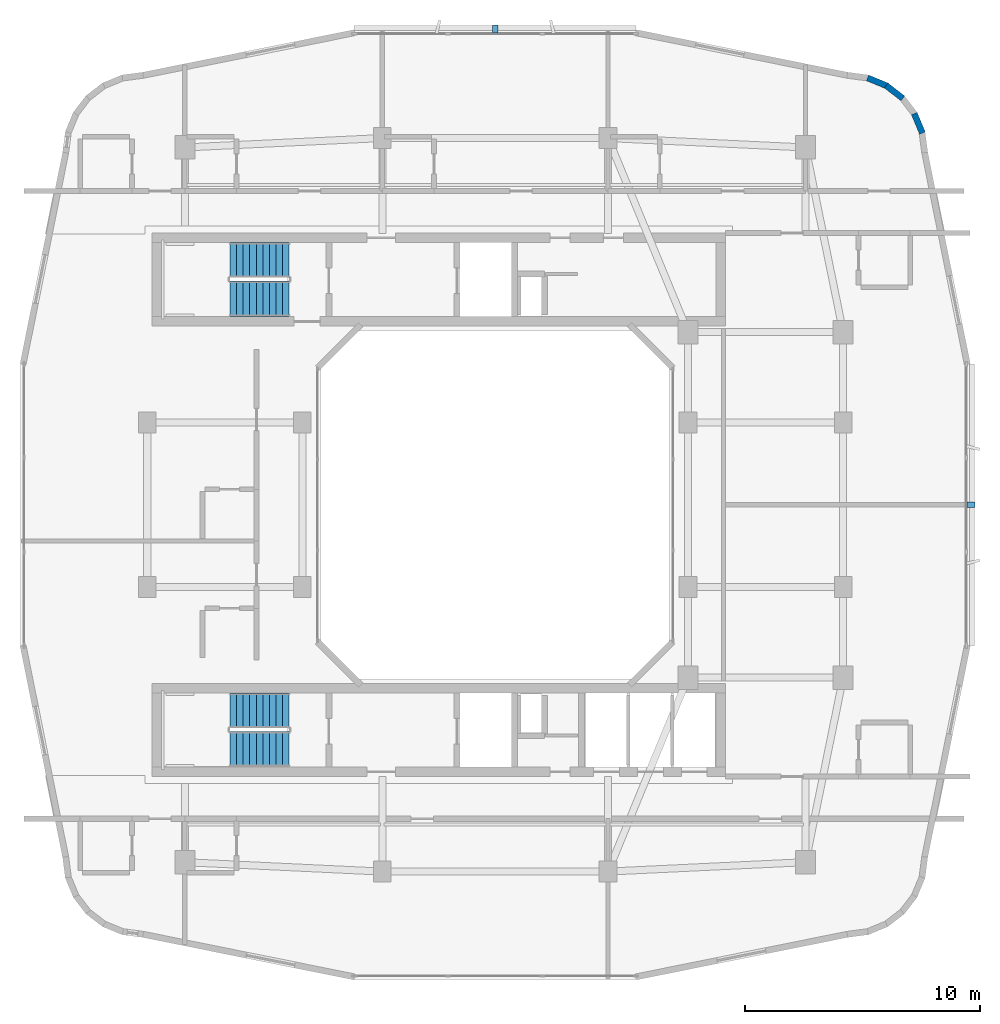
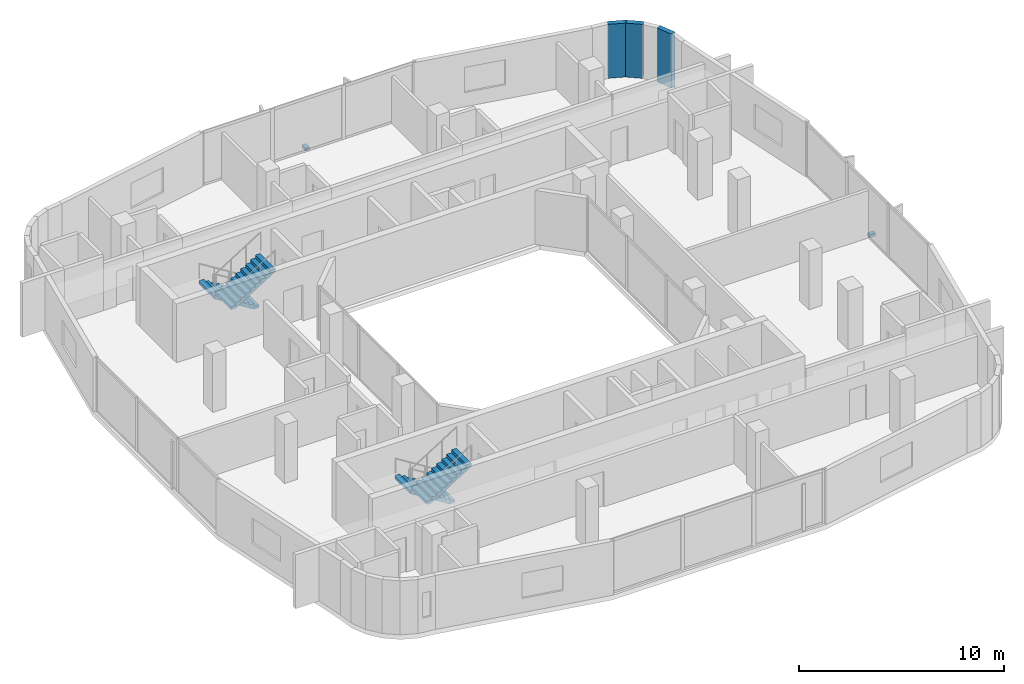
# One storey, part 10 of 14: 4 stair flights, 3 walls, 2 discrete accessories, 2 elements without a shape of their own.
"""IFC4 building model written with IfcOpenShell, lengths in metres."""

import ifcopenshell
import ifcopenshell.guid

model = None  # the IFC model being written
_history = None  # IfcOwnerHistory: only IFC2X3 demands one
_inside = {}  # id of a spatial element -> (the spatial element, [elements in it])
_under = {}  # id of a project, library or spatial element -> (it, [spatial elements below it])
_declared = {}  # id of a project -> (the project, [libraries it declares])
_typed = {}  # id of a type object -> (the type object, [elements of that type])
_made_of = {}  # id of a material, layer set ... -> (it, [elements and type objects made of it])


def new_model(schema):
    """Start an empty IFC model of exactly this schema.

    Asked for "IFC4X3", IfcOpenShell would pick the latest addendum, in which some entities
    have other attributes; the version numbers below select the first issue.
    IFC2X3 requires an IfcOwnerHistory on every rooted entity: one is made here for all.
    """
    global model, _history
    if schema == "IFC4X3":
        model = ifcopenshell.file(schema_version=(4, 3, 0, 0))
    else:
        model = ifcopenshell.file(schema=schema)
    _inside.clear()
    _under.clear()
    _declared.clear()
    _typed.clear()
    _made_of.clear()
    _history = None
    if model.schema == "IFC2X3":
        org = make("IfcOrganization", Name="unknown")
        user = make(
            "IfcPersonAndOrganization",
            ThePerson=make("IfcPerson", FamilyName="unknown"),
            TheOrganization=org,
        )
        app = make(
            "IfcApplication",
            ApplicationDeveloper=org,
            Version="unknown",
            ApplicationFullName="unknown",
            ApplicationIdentifier="unknown",
        )
        _history = make(
            "IfcOwnerHistory",
            OwningUser=user,
            OwningApplication=app,
            ChangeAction="ADDED",
            CreationDate=0,
        )
    return model


def make(cls, **values):
    """One entity of the class cls with the attributes given. An attribute that is None is left unset."""
    return model.create_entity(
        cls, **{name: value for name, value in values.items() if value is not None}
    )


def rooted(cls, **values):
    """An entity with a GlobalId (a new one), such as an element, a storey or a relation."""
    return make(cls, GlobalId=ifcopenshell.guid.new(), OwnerHistory=_history, **values)


def si_unit(unit_type, name, prefix=None):
    """IfcSIUnit, for example si_unit("LENGTHUNIT", "METRE", prefix="MILLI")."""
    return make("IfcSIUnit", UnitType=unit_type, Prefix=prefix, Name=name)


def derived_unit(unit_type, elements):
    """IfcDerivedUnit: a product of units, each with its exponent."""
    return make(
        "IfcDerivedUnit",
        Elements=[
            make("IfcDerivedUnitElement", Unit=unit, Exponent=power)
            for unit, power in elements
        ],
        UnitType=unit_type,
    )


def assignment(units):
    """IfcUnitAssignment: the units of a project."""
    return None if units is None else make("IfcUnitAssignment", Units=units)


def point(xyz):
    """IfcCartesianPoint."""
    return None if xyz is None else make("IfcCartesianPoint", Coordinates=xyz)


def direction(xyz):
    """IfcDirection."""
    return None if xyz is None else make("IfcDirection", DirectionRatios=xyz)


def frame(location, z_axis=None, x_axis=None):
    """IfcAxis2Placement3D, a coordinate frame: its origin and axes. An axis left out is left unset."""
    return make(
        "IfcAxis2Placement3D",
        Location=point(location),
        Axis=direction(z_axis),
        RefDirection=direction(x_axis),
    )


def frame_2d(location, x_axis=None):
    """IfcAxis2Placement2D, a coordinate frame in the plane: its origin and x axis."""
    return make(
        "IfcAxis2Placement2D", Location=point(location), RefDirection=direction(x_axis)
    )


def origin():
    """The frame at (0, 0, 0) with its axes left unset."""
    return frame((0.0, 0.0, 0.0))


def origin_2d():
    """The frame at (0, 0) in the plane with its x axis left unset."""
    return frame_2d((0.0, 0.0))


def place(relative_to, where):
    """IfcLocalPlacement: puts the frame where relative to a parent placement (None: the world)."""
    return make(
        "IfcLocalPlacement", PlacementRelTo=relative_to, RelativePlacement=where
    )


def context(
    kind, dimensions, precision=None, world=None, true_north=None, identifier=None
):
    """IfcGeometricRepresentationContext, for example the 3D "Model" context."""
    return make(
        "IfcGeometricRepresentationContext",
        ContextIdentifier=identifier,
        ContextType=kind,
        CoordinateSpaceDimension=dimensions,
        Precision=precision,
        WorldCoordinateSystem=world,
        TrueNorth=true_north,
    )


def subcontext(parent, identifier, kind, view, scale=None):
    """IfcGeometricRepresentationSubContext, for example "Body" below "Model"."""
    return make(
        "IfcGeometricRepresentationSubContext",
        ContextIdentifier=identifier,
        ContextType=kind,
        ParentContext=parent,
        TargetScale=scale,
        TargetView=view,
    )


def project(units=None, contexts=None):
    """IfcProject with its units and contexts."""
    return rooted(
        "IfcProject",
        Name="project",
        RepresentationContexts=contexts,
        UnitsInContext=assignment(units),
    )


def spatial(cls, under=None, at=None, **own):
    """A site, building, storey or space (cls), placed at a placement, below another one or the project."""
    s = rooted(cls, ObjectPlacement=at, **own)
    if under is not None:
        _under.setdefault(under.id(), (under, []))[1].append(s)
    return s


def polyline(points):
    """IfcPolyline through the points."""
    return make("IfcPolyline", Points=[point(p) for p in points])


def profile(cls, at=None, kind="AREA", **sizes):
    """A parametric profile (cls). Its sizes go by their IFC names, for example OverallWidth=200.0."""
    return make(cls, ProfileType=kind, Position=at, **sizes)


def rectangle(**sizes):
    """IfcRectangleProfileDef."""
    return profile("IfcRectangleProfileDef", **sizes)


def outline(outer, holes=None, kind="AREA"):
    """IfcArbitraryClosedProfileDef: a profile drawn as a closed curve; with holes, ...WithVoids."""
    if holes is None:
        return make("IfcArbitraryClosedProfileDef", ProfileType=kind, OuterCurve=outer)
    return make(
        "IfcArbitraryProfileDefWithVoids",
        ProfileType=kind,
        OuterCurve=outer,
        InnerCurves=holes,
    )


def extrude(swept, where, along, depth):
    """IfcExtrudedAreaSolid: the profile swept, set in the frame where, extruded along a direction by depth."""
    return make(
        "IfcExtrudedAreaSolid",
        SweptArea=swept,
        Position=where,
        ExtrudedDirection=direction(along),
        Depth=depth,
    )


def shape(context_of_items, identifier, shape_type, items):
    """IfcShapeRepresentation: the items that make up one representation, for example the "Body"."""
    return make(
        "IfcShapeRepresentation",
        ContextOfItems=context_of_items,
        RepresentationIdentifier=identifier,
        RepresentationType=shape_type,
        Items=items,
    )


def material(Name=None, Category=None):
    """IfcMaterial."""
    return make("IfcMaterial", Name=Name, Category=Category)


def layer(
    of_material, thickness, ventilated=None, Name=None, Category=None, Priority=None
):
    """IfcMaterialLayer: one layer of a wall or slab, of a material (None: an air gap)."""
    return make(
        "IfcMaterialLayer",
        Material=of_material,
        LayerThickness=thickness,
        IsVentilated=ventilated,
        Name=Name,
        Category=Category,
        Priority=Priority,
    )


def layer_set(layers, Name=None):
    """IfcMaterialLayerSet."""
    return make("IfcMaterialLayerSet", MaterialLayers=layers, LayerSetName=Name)


def made_of(thing, what):
    """Note that an element or type object is made of a material, layer set ...; save() writes the relation."""
    if what is not None:
        _made_of.setdefault(what.id(), (what, []))[1].append(thing)
    return thing


def type_object(cls, material=None, **own):
    """A type object (cls), such as IfcWallType, which elements share."""
    return made_of(rooted(cls, **own), material)


def element(
    cls,
    number,
    at=None,
    inside=None,
    cuts=None,
    type_object=None,
    material=None,
    context=None,
    identifier="Body",
    shape_type=None,
    held_by="IfcProductDefinitionShape",
    body=None,
    shapes=None,
    **own,
):
    """One element of the class cls, such as IfcWall. Its Tag is "e" and its number.

    at: its placement. inside: the storey or other place that contains it. cuts: it is an
    opening in that element (IfcRelVoidsElement). A single representation is given by context,
    identifier, shape_type and body (its items); several are given by shapes. held_by: the class
    of the entity that holds the representations. save() writes the other relations.
    """
    e = rooted(cls, Tag="e%d" % number, ObjectPlacement=at, **own)
    if body is not None:
        shapes = [shape(context, identifier, shape_type, body)]
    if shapes is not None:
        e.Representation = make(held_by, Representations=shapes)
    if inside is not None:
        _inside.setdefault(inside.id(), (inside, []))[1].append(e)
    if cuts is not None:
        rooted(
            "IfcRelVoidsElement", RelatingBuildingElement=cuts, RelatedOpeningElement=e
        )
    if type_object is not None:
        _typed.setdefault(type_object.id(), (type_object, []))[1].append(e)
    return made_of(e, material)


def aggregate(whole, parts):
    """IfcRelAggregates: a whole, such as a stair, and the parts it consists of."""
    return rooted("IfcRelAggregates", RelatingObject=whole, RelatedObjects=parts)


def save(model, path):
    """Write the relations noted so far, then the file.

    IfcRelAggregates (storeys below a building ...), IfcRelContainedInSpatialStructure (elements
    in a storey), IfcRelDefinesByType, IfcRelAssociatesMaterial and IfcRelDeclares: one each for
    every whole, place, type object, material and project.
    """
    for whole, parts in _under.values():
        aggregate(whole, parts)
    for where, things in _inside.values():
        rooted(
            "IfcRelContainedInSpatialStructure",
            RelatedElements=things,
            RelatingStructure=where,
        )
    for kind, things in _typed.values():
        rooted("IfcRelDefinesByType", RelatedObjects=things, RelatingType=kind)
    for what, things in _made_of.values():
        rooted("IfcRelAssociatesMaterial", RelatedObjects=things, RelatingMaterial=what)
    for by, libraries in _declared.values():
        rooted("IfcRelDeclares", RelatingContext=by, RelatedDefinitions=libraries)
    model.write(path)


model = new_model("IFC4")

# Units and contexts
model_context = context("Model", 3, precision=1e-05, world=origin(), true_north=direction((0.0, 1.0)))
body_context = subcontext(model_context, "Body", "Model", "MODEL_VIEW")
ifc_project = project(units=[si_unit("LENGTHUNIT", "METRE"), si_unit("AREAUNIT", "SQUARE_METRE"), si_unit("VOLUMEUNIT", "CUBIC_METRE"), si_unit("PLANEANGLEUNIT", "RADIAN"), si_unit("MASSUNIT", "GRAM", prefix="KILO"), derived_unit("THERMALTRANSMITTANCEUNIT", [(si_unit("POWERUNIT", "WATT"), 1), (si_unit("LENGTHUNIT", "METRE"), -2), (si_unit("THERMODYNAMICTEMPERATUREUNIT", "KELVIN"), -1)])], contexts=[model_context])

# Site, building, storey
site_placement = place(None, origin())
site = spatial("IfcSite", under=ifc_project, at=site_placement, CompositionType="ELEMENT")
building_placement = place(site_placement, origin())
building = spatial("IfcBuilding", under=site, at=building_placement, Name="Kivonza Crest Hotel", CompositionType="ELEMENT")
storey_placement = place(building_placement, frame((0.0, 0.0, 152.0)))
storey = spatial("IfcBuildingStorey", under=building, at=storey_placement, Name="L41", CompositionType="ELEMENT", Elevation=152.0)

# Walls
ifc_material_1 = material(Name="Precast concrete C40/50", Category="concrete")
ifc_layer = layer(ifc_material_1, 0.260009765625)
ifc_layer_set = layer_set([ifc_layer], Name="Precast concrete C40/50")
wall_type = type_object("IfcWallType", Name="WL-EXT-260", PredefinedType="STANDARD", material=ifc_layer_set)
wall_1_placement = place(storey_placement, frame((39.174072265625, 40.806884765625, 0.0), z_axis=(0.0, 0.0, 1.0), x_axis=(-0.383290660547, 0.923627776508, 0.0)))
element("IfcWall", 1, at=wall_1_placement, inside=storey, type_object=wall_type, Name="L41 T1 exterior insulated wall 20", PredefinedType="STANDARD", context=body_context, shape_type="SweptSolid", body=[
    extrude(rectangle(XDim=0.9033203125, YDim=0.260009765625, at=frame_2d((0.45166015625, 0.0))), origin(), (0.0, 0.0, 1.0), 3.219970703125),
])
wall_2_placement = place(storey_placement, frame((38.344970703125, 42.285888671875, 0.0), z_axis=(0.0, 0.0, 1.0), x_axis=(-0.793558456666, 0.608494022858, 0.0)))
element("IfcWall", 2, at=wall_2_placement, inside=storey, type_object=wall_type, Name="L41 T1 exterior insulated wall 22", PredefinedType="STANDARD", context=body_context, shape_type="SweptSolid", body=[
    extrude(rectangle(XDim=0.90234375, YDim=0.260009765625, at=frame_2d((0.451171875, 0.0))), origin(), (0.0, 0.0, 1.0), 3.219970703125),
])
wall_3_placement = place(storey_placement, frame((37.673095703125, 42.81396484375, 0.0), z_axis=(0.0, 0.0, 1.0), x_axis=(-0.923683767999, 0.383155708213, 0.0)))
element("IfcWall", 3, at=wall_3_placement, inside=storey, type_object=wall_type, Name="L41 T1 exterior insulated wall 23", PredefinedType="STANDARD", context=body_context, shape_type="SweptSolid", body=[
    extrude(rectangle(XDim=0.90283203125, YDim=0.260009765625, at=frame_2d((0.451416015625, 0.0))), origin(), (0.0, 0.0, 1.0), 3.219970703125),
])

# Stair, stair flights
ifc_material_2 = material(Name="Concrete C40/50", Category="concrete")
stair_type = type_object("IfcStairType", Name="ST-DL-20R", PredefinedType="HALF_TURN_STAIR", material=ifc_material_2)
stair_1_placement = place(storey_placement, origin())
stair_1 = element("IfcStair", 4, at=stair_1_placement, inside=storey, type_object=stair_type, Name="L41 Protected Exit Stair ST-T1-N", PredefinedType="HALF_TURN_STAIR")
stair_flight_type = type_object("IfcStairFlightType", Name="SFL-RC-10R", PredefinedType="STRAIGHT", material=ifc_material_2)
stair_flight_1_placement = place(storey_placement, frame((12.239990234375, 35.409912109375, 0.0), z_axis=(0.0, 0.0, 1.0), x_axis=(-1.0, 0.0, 0.0)))
stair_flight_1 = element("IfcStairFlight", 5, at=stair_flight_1_placement, type_object=stair_flight_type, Name="ST-T1-N flight 1", NumberOfRisers=10, NumberOfTreads=9, PredefinedType="STRAIGHT", RiserHeight=0.175, TreadLength=0.28, context=body_context, shape_type="SweptSolid", body=[
    extrude(outline(polyline([(0.0, 0.0), (0.0, 0.175048828125), (0.280029296875, 0.175048828125), (0.280029296875, 0.35009765625), (0.56005859375, 0.35009765625), (0.56005859375, 0.52490234375), (0.840087890625, 0.52490234375), (0.840087890625, 0.699951171875), (1.1201171875, 0.699951171875), (1.1201171875, 0.875), (1.39990234375, 0.875), (1.39990234375, 1.050048828125), (1.679931640625, 1.050048828125), (1.679931640625, 1.22509765625), (1.9599609375, 1.22509765625), (1.9599609375, 1.39990234375), (2.239990234375, 1.39990234375), (2.239990234375, 1.574951171875), (2.52001953125, 1.574951171875), (2.52001953125, 1.75), (2.52001953125, 1.398193359375), (0.28271484375, 0.0), (0.0, 0.0)])), frame((0.0, 0.75, 0.0), z_axis=(0.0, -1.0, 0.0), x_axis=(1.0, 0.0, 0.0)), (0.0, 0.0, 1.0), 1.5),
])
stair_flight_2_placement = place(storey_placement, frame((9.719970703125, 33.77001953125, 1.75), z_axis=(0.0, 0.0, 1.0), x_axis=(1.0, 0.0, 0.0)))
stair_flight_2 = element("IfcStairFlight", 6, at=stair_flight_2_placement, type_object=stair_flight_type, Name="ST-T1-N flight 2", NumberOfRisers=10, NumberOfTreads=9, PredefinedType="STRAIGHT", RiserHeight=0.175, TreadLength=0.28, context=body_context, shape_type="SweptSolid", body=[
    extrude(outline(polyline([(0.0, 0.0), (0.0, 0.175048828125), (0.280029296875, 0.175048828125), (0.280029296875, 0.35009765625), (0.56005859375, 0.35009765625), (0.56005859375, 0.52490234375), (0.840087890625, 0.52490234375), (0.840087890625, 0.699951171875), (1.1201171875, 0.699951171875), (1.1201171875, 0.875), (1.39990234375, 0.875), (1.39990234375, 1.050048828125), (1.679931640625, 1.050048828125), (1.679931640625, 1.22509765625), (1.9599609375, 1.22509765625), (1.9599609375, 1.39990234375), (2.239990234375, 1.39990234375), (2.239990234375, 1.574951171875), (2.52001953125, 1.574951171875), (2.52001953125, 1.75), (2.52001953125, 1.398193359375), (0.28271484375, 0.0), (0.0, 0.0)])), frame((0.0, 0.75, 0.0), z_axis=(0.0, -1.0, 0.0), x_axis=(1.0, 0.0, 0.0)), (0.0, 0.0, 1.0), 1.5),
])
aggregate(stair_1, [stair_flight_1, stair_flight_2])

stair_2_placement = place(storey_placement, origin())
stair_2 = element("IfcStair", 7, at=stair_2_placement, inside=storey, type_object=stair_type, Name="L41 Protected Exit Stair ST-T1-S", PredefinedType="HALF_TURN_STAIR")
stair_flight_3_placement = place(storey_placement, frame((12.239990234375, 16.25, 0.0), z_axis=(0.0, 0.0, 1.0), x_axis=(-1.0, 0.0, 0.0)))
stair_flight_3 = element("IfcStairFlight", 8, at=stair_flight_3_placement, type_object=stair_flight_type, Name="ST-T1-S flight 1", NumberOfRisers=10, NumberOfTreads=9, PredefinedType="STRAIGHT", RiserHeight=0.175, TreadLength=0.28, context=body_context, shape_type="SweptSolid", body=[
    extrude(outline(polyline([(0.0, 0.0), (0.0, 0.175048828125), (0.280029296875, 0.175048828125), (0.280029296875, 0.35009765625), (0.56005859375, 0.35009765625), (0.56005859375, 0.52490234375), (0.840087890625, 0.52490234375), (0.840087890625, 0.699951171875), (1.1201171875, 0.699951171875), (1.1201171875, 0.875), (1.39990234375, 0.875), (1.39990234375, 1.050048828125), (1.679931640625, 1.050048828125), (1.679931640625, 1.22509765625), (1.9599609375, 1.22509765625), (1.9599609375, 1.39990234375), (2.239990234375, 1.39990234375), (2.239990234375, 1.574951171875), (2.52001953125, 1.574951171875), (2.52001953125, 1.75), (2.52001953125, 1.398193359375), (0.28271484375, 0.0), (0.0, 0.0)])), frame((0.0, 0.75, 0.0), z_axis=(0.0, -1.0, 0.0), x_axis=(1.0, 0.0, 0.0)), (0.0, 0.0, 1.0), 1.5),
])
stair_flight_4_placement = place(storey_placement, frame((9.719970703125, 14.610107421875, 1.75), z_axis=(0.0, 0.0, 1.0), x_axis=(1.0, 0.0, 0.0)))
stair_flight_4 = element("IfcStairFlight", 9, at=stair_flight_4_placement, type_object=stair_flight_type, Name="ST-T1-S flight 2", NumberOfRisers=10, NumberOfTreads=9, PredefinedType="STRAIGHT", RiserHeight=0.175, TreadLength=0.28, context=body_context, shape_type="SweptSolid", body=[
    extrude(outline(polyline([(0.0, 0.0), (0.0, 0.175048828125), (0.280029296875, 0.175048828125), (0.280029296875, 0.35009765625), (0.56005859375, 0.35009765625), (0.56005859375, 0.52490234375), (0.840087890625, 0.52490234375), (0.840087890625, 0.699951171875), (1.1201171875, 0.699951171875), (1.1201171875, 0.875), (1.39990234375, 0.875), (1.39990234375, 1.050048828125), (1.679931640625, 1.050048828125), (1.679931640625, 1.22509765625), (1.9599609375, 1.22509765625), (1.9599609375, 1.39990234375), (2.239990234375, 1.39990234375), (2.239990234375, 1.574951171875), (2.52001953125, 1.574951171875), (2.52001953125, 1.75), (2.52001953125, 1.398193359375), (0.28271484375, 0.0), (0.0, 0.0)])), frame((0.0, 0.75, 0.0), z_axis=(0.0, -1.0, 0.0), x_axis=(1.0, 0.0, 0.0)), (0.0, 0.0, 1.0), 1.5),
])
aggregate(stair_2, [stair_flight_3, stair_flight_4])

# Discrete accessories
ifc_material_3 = material(Name="Stainless steel 316", Category="steel")
discrete_accessory_type = type_object("IfcDiscreteAccessoryType", Name="AC-BRACKET-240", PredefinedType="BRACKET", material=ifc_material_3)
for number, where, z_axis, x_axis, name in (
    (10, (41.239990234375, 25.0, -0.009765625), (0.0, 0.0, 1.0), (0.0, 1.0, 0.0), "L41 terracotta baguette support bracket CW-T1-L41-17"),
    (11, (21.0, 45.239990234375, -0.009765625), (0.0, 0.0, 1.0), (-1.0, 0.0, 0.0), "L41 terracotta baguette support bracket CW-T1-L41-26"),
):
    element("IfcDiscreteAccessory", number, at=place(storey_placement, frame(where, z_axis=z_axis, x_axis=x_axis)), inside=storey, type_object=discrete_accessory_type, Name=name, PredefinedType="BRACKET", context=body_context, shape_type="SweptSolid", body=[
        extrude(rectangle(XDim=0.219970703125, YDim=0.340087890625, at=origin_2d()), origin(), (0.0, 0.0, 1.0), 0.179931640625),
    ])

save(model, "model.ifc")
